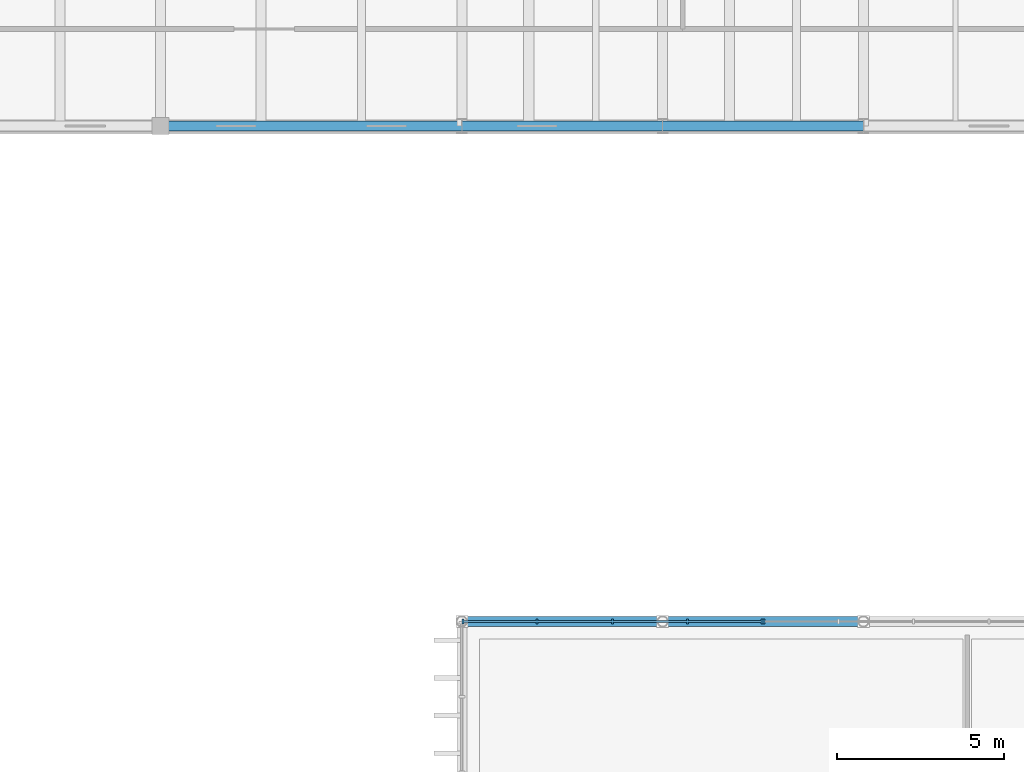
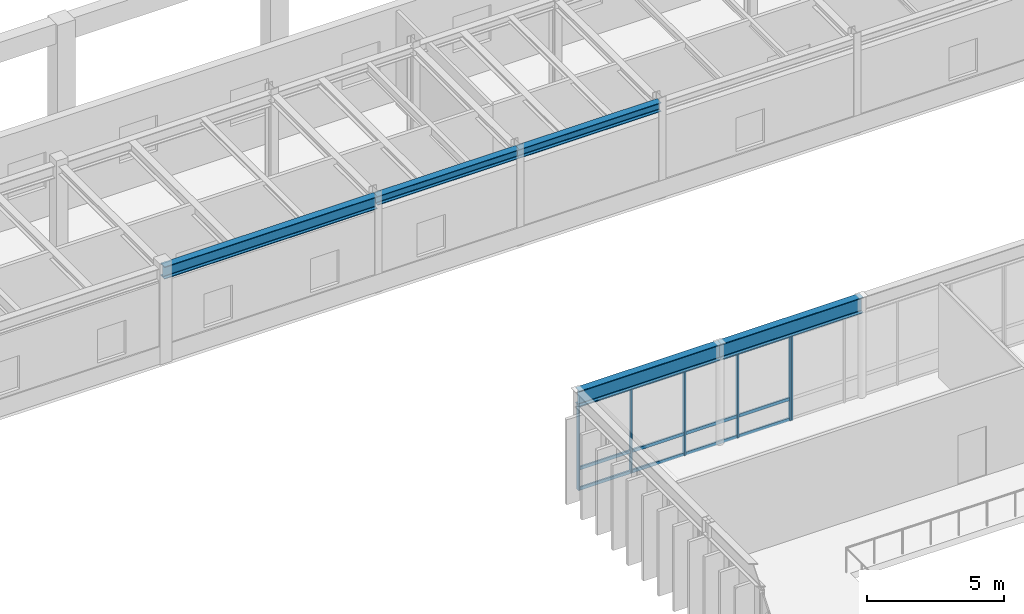
# One storey, part 26 of 64: 9 members, 5 beams, 2 elements without a shape of their own.
"""IFC4 building model written with IfcOpenShell, lengths in metres."""

from ifc_helpers import new_model, si_unit, direction, frame, origin, origin_2d, place, context, subcontext, project, spatial, rectangle, i_section, extrude, material, layer, layer_set, material_profile, profile_set, type_object, element, aggregate, save


model = new_model("IFC4")

# Units and contexts
model_context = context("Model", 3, precision=1e-05, world=origin(), true_north=direction((0.0, 1.0)))
body_context = subcontext(model_context, "Body", "Model", "MODEL_VIEW")
ifc_project = project(units=[si_unit("LENGTHUNIT", "METRE"), si_unit("AREAUNIT", "SQUARE_METRE"), si_unit("VOLUMEUNIT", "CUBIC_METRE"), si_unit("PLANEANGLEUNIT", "RADIAN"), si_unit("MASSUNIT", "GRAM", prefix="KILO")], contexts=[model_context])

# Site, building, storey
site_placement = place(None, origin())
site = spatial("IfcSite", under=ifc_project, at=site_placement, CompositionType="ELEMENT")
building_placement = place(site_placement, origin())
building = spatial("IfcBuilding", under=site, at=building_placement, Name="Montealbar Specialist Clinic", CompositionType="ELEMENT")
storey_placement = place(building_placement, frame((0.0, 0.0, 5.10009765625)))
storey = spatial("IfcBuildingStorey", under=building, at=storey_placement, Name="L01", CompositionType="ELEMENT", Elevation=5.10009765625)

# Beams
ifc_material_1 = material(Name="Steel S355", Category="steel")
ifc_material_profile_1 = material_profile(ifc_material_1, i_section(OverallWidth=0.300048828125, OverallDepth=0.39990234375, WebThickness=0.013427734375, FlangeThickness=0.02392578125, FilletRadius=0.027099609375, at=origin_2d()), Name="HEB 400", Category="steel")
ifc_profile_set_1 = profile_set([ifc_material_profile_1], Name="Steel S355")
beam_type_1 = type_object("IfcBeamType", Name="BM-GIRD-HEB400-EXT", PredefinedType="BEAM", material=ifc_profile_set_1)
for number, where, z_axis, x_axis, name in (
    (1, (54.0, 95.800048828125, 4.02978515625), (1.0, 0.0, 0.0), (0.0, 1.0, 0.0), "Beam GX-L01-540-600-958"),
    (2, (60.0, 95.800048828125, 4.02978515625), (1.0, 0.0, 0.0), (0.0, 1.0, 0.0), "Beam GX-L01-600-660-958"),
):
    element("IfcBeam", number, at=place(storey_placement, frame(where, z_axis=z_axis, x_axis=x_axis)), inside=storey, type_object=beam_type_1, Name=name, PredefinedType="BEAM", context=body_context, shape_type="SweptSolid", body=[
        extrude(i_section(OverallWidth=0.300048828125, OverallDepth=0.39990234375, WebThickness=0.013427734375, FlangeThickness=0.02392578125, FilletRadius=0.027099609375, at=origin_2d()), origin(), (0.0, 0.0, 1.0), 6.0),
    ])
ifc_material_profile_2 = material_profile(ifc_material_1, i_section(OverallWidth=0.300048828125, OverallDepth=0.550048828125, WebThickness=0.014892578125, FlangeThickness=0.029052734375, FilletRadius=0.027099609375, at=origin_2d()), Name="HEB 550", Category="steel")
ifc_profile_set_2 = profile_set([ifc_material_profile_2], Name="Steel S355")
beam_type_2 = type_object("IfcBeamType", Name="BM-GIRD-HEB550-EXT", PredefinedType="BEAM", material=ifc_profile_set_2)
beam_placement = place(storey_placement, frame((45.0, 95.800048828125, 3.954833984375), z_axis=(1.0, 0.0, 0.0), x_axis=(0.0, 1.0, 0.0)))
element("IfcBeam", 3, at=beam_placement, inside=storey, type_object=beam_type_2, Name="Beam GX-L01-450-540-958", PredefinedType="BEAM", context=body_context, shape_type="SweptSolid", body=[
    extrude(i_section(OverallWidth=0.300048828125, OverallDepth=0.550048828125, WebThickness=0.014892578125, FlangeThickness=0.029052734375, FilletRadius=0.027099609375, at=origin_2d()), origin(), (0.0, 0.0, 1.0), 9.0),
])
ifc_material_profile_3 = material_profile(ifc_material_1, i_section(OverallWidth=0.300048828125, OverallDepth=0.699951171875, WebThickness=0.01708984375, FlangeThickness=0.031982421875, FilletRadius=0.027099609375, at=origin_2d()), Name="HEB 700", Category="steel")
ifc_profile_set_3 = profile_set([ifc_material_profile_3], Name="Steel S355")
beam_type_3 = type_object("IfcBeamType", Name="BM-RING-HEB700-EXT", PredefinedType="BEAM", material=ifc_profile_set_3)
for number, where, z_axis, x_axis, name in (
    (4, (54.0, 81.0, 4.14990234375), (1.0, 0.0, 0.0), (0.0, 1.0, 0.0), "Gridshell perimeter ring beam RB-01 X 54.0-60.0"),
    (5, (60.0, 81.0, 4.14990234375), (1.0, 0.0, 0.0), (0.0, 1.0, 0.0), "Gridshell perimeter ring beam RB-01 X 60.0-66.0"),
):
    element("IfcBeam", number, at=place(storey_placement, frame(where, z_axis=z_axis, x_axis=x_axis)), inside=storey, type_object=beam_type_3, Name=name, PredefinedType="BEAM", context=body_context, shape_type="SweptSolid", body=[
        extrude(i_section(OverallWidth=0.300048828125, OverallDepth=0.699951171875, WebThickness=0.01708984375, FlangeThickness=0.031982421875, FilletRadius=0.027099609375, at=origin_2d()), origin(), (0.0, 0.0, 1.0), 6.0),
    ])

# Curtain wall, members
ifc_material_2 = material(Name="Low-E double glazing", Category="glass")
ifc_layer = layer(ifc_material_2, 0.199951171875, Name="Low-E double glazing", Category="glass")
ifc_layer_set = layer_set([ifc_layer], Name="Low-E double glazing")
curtain_wall_type = type_object("IfcCurtainWallType", Name="CW-TYPE-08", PredefinedType="NOTDEFINED", material=ifc_layer_set)
curtain_wall_1_placement = place(storey_placement, origin())
curtain_wall_1 = element("IfcCurtainWall", 6, at=curtain_wall_1_placement, inside=storey, type_object=curtain_wall_type, Name="Unitised Curtain Wall CW-L01-540-810-630-810-51", PredefinedType="NOTDEFINED")
ifc_material_3 = material(Name="Anodised aluminium EN AW-6063", Category="aluminium")
ifc_material_profile_4 = material_profile(ifc_material_3, rectangle(XDim=0.06005859375, YDim=0.159912109375, at=origin_2d()), Name="ALU 60x160", Category="aluminium")
ifc_profile_set_4 = profile_set([ifc_material_profile_4], Name="Anodised aluminium EN AW-6063")
member_type_1 = type_object("IfcMemberType", Name="CW-MUL-160", PredefinedType="MULLION", material=ifc_profile_set_4)
member_1_placement = place(storey_placement, frame((54.034912109375, 81.0, 0.0), z_axis=(0.0, 0.0, 1.0), x_axis=(1.0, 0.0, 0.0)))
member_1 = element("IfcMember", 7, at=member_1_placement, type_object=member_type_1, Name="Curtain Wall Mullion CW-L01-540-810-630-810-51-00", PredefinedType="MULLION", context=body_context, shape_type="SweptSolid", body=[
    extrude(rectangle(XDim=0.06005859375, YDim=0.159912109375, at=origin_2d()), origin(), (0.0, 0.0, 1.0), 3.7998046875),
])
member_2_placement = place(storey_placement, frame((56.25, 81.0, 0.0), z_axis=(0.0, 0.0, 1.0), x_axis=(1.0, 0.0, 0.0)))
member_2 = element("IfcMember", 8, at=member_2_placement, type_object=member_type_1, Name="Curtain Wall Mullion CW-L01-540-810-630-810-51-01", PredefinedType="MULLION", context=body_context, shape_type="SweptSolid", body=[
    extrude(rectangle(XDim=0.06005859375, YDim=0.159912109375, at=origin_2d()), origin(), (0.0, 0.0, 1.0), 3.7998046875),
])
member_3_placement = place(storey_placement, frame((58.5, 81.0, 0.0), z_axis=(0.0, 0.0, 1.0), x_axis=(1.0, 0.0, 0.0)))
member_3 = element("IfcMember", 9, at=member_3_placement, type_object=member_type_1, Name="Curtain Wall Mullion CW-L01-540-810-630-810-51-02", PredefinedType="MULLION", context=body_context, shape_type="SweptSolid", body=[
    extrude(rectangle(XDim=0.06005859375, YDim=0.159912109375, at=origin_2d()), origin(), (0.0, 0.0, 1.0), 3.7998046875),
])
member_4_placement = place(storey_placement, frame((60.75, 81.0, 0.0), z_axis=(0.0, 0.0, 1.0), x_axis=(1.0, 0.0, 0.0)))
member_4 = element("IfcMember", 10, at=member_4_placement, type_object=member_type_1, Name="Curtain Wall Mullion CW-L01-540-810-630-810-51-03", PredefinedType="MULLION", context=body_context, shape_type="SweptSolid", body=[
    extrude(rectangle(XDim=0.06005859375, YDim=0.159912109375, at=origin_2d()), origin(), (0.0, 0.0, 1.0), 3.7998046875),
])
member_5_placement = place(storey_placement, frame((62.965087890625, 81.0, 0.0), z_axis=(0.0, 0.0, 1.0), x_axis=(1.0, 0.0, 0.0)))
member_5 = element("IfcMember", 11, at=member_5_placement, type_object=member_type_1, Name="Curtain Wall Mullion CW-L01-540-810-630-810-51-04", PredefinedType="MULLION", context=body_context, shape_type="SweptSolid", body=[
    extrude(rectangle(XDim=0.06005859375, YDim=0.159912109375, at=origin_2d()), origin(), (0.0, 0.0, 1.0), 3.7998046875),
])

# Curtain wall, member
curtain_wall_2_placement = place(storey_placement, origin())
curtain_wall_2 = element("IfcCurtainWall", 12, at=curtain_wall_2_placement, inside=storey, type_object=curtain_wall_type, Name="Unitised Curtain Wall CW-L01-630-810-720-810-51", PredefinedType="NOTDEFINED")
member_6_placement = place(storey_placement, frame((63.034912109375, 81.0, 0.0), z_axis=(0.0, 0.0, 1.0), x_axis=(1.0, 0.0, 0.0)))
member_6 = element("IfcMember", 13, at=member_6_placement, type_object=member_type_1, Name="Curtain Wall Mullion CW-L01-630-810-720-810-51-00", PredefinedType="MULLION", context=body_context, shape_type="SweptSolid", body=[
    extrude(rectangle(XDim=0.06005859375, YDim=0.159912109375, at=origin_2d()), origin(), (0.0, 0.0, 1.0), 3.7998046875),
])
aggregate(curtain_wall_2, [member_6])

# Member
ifc_material_4 = material(Name="Powder-coated aluminium", Category="aluminium")
ifc_material_profile_5 = material_profile(ifc_material_4, rectangle(XDim=0.070068359375, YDim=0.139892578125, at=origin_2d()), Name="ALU 70x140", Category="aluminium")
ifc_profile_set_5 = profile_set([ifc_material_profile_5], Name="Powder-coated aluminium")
member_type_2 = type_object("IfcMemberType", Name="CW-TRN-140", PredefinedType="USERDEFINED", material=ifc_profile_set_5)
member_7_placement = place(storey_placement, frame((54.050048828125, 81.0, 0.039794921875), z_axis=(1.0, 0.0, 0.0), x_axis=(0.0, 1.0, 0.0)))
member_7 = element("IfcMember", 14, at=member_7_placement, type_object=member_type_2, Name="Curtain Wall Transom CW-L01-540-810-630-810-51-00", ObjectType="TRANSOM", PredefinedType="USERDEFINED", context=body_context, shape_type="SweptSolid", body=[
    extrude(rectangle(XDim=0.070068359375, YDim=0.139892578125, at=origin_2d()), origin(), (0.0, 0.0, 1.0), 8.89990234375),
])

member_8_placement = place(storey_placement, frame((54.050048828125, 81.0, 0.949951171875), z_axis=(1.0, 0.0, 0.0), x_axis=(0.0, 1.0, 0.0)))
member_8 = element("IfcMember", 15, at=member_8_placement, type_object=member_type_2, Name="Curtain Wall Transom CW-L01-540-810-630-810-51-01", ObjectType="TRANSOM", PredefinedType="USERDEFINED", context=body_context, shape_type="SweptSolid", body=[
    extrude(rectangle(XDim=0.070068359375, YDim=0.139892578125, at=origin_2d()), origin(), (0.0, 0.0, 1.0), 8.89990234375),
])

member_9_placement = place(storey_placement, frame((54.050048828125, 81.0, 3.760009765625), z_axis=(1.0, 0.0, 0.0), x_axis=(0.0, 1.0, 0.0)))
member_9 = element("IfcMember", 16, at=member_9_placement, type_object=member_type_2, Name="Curtain Wall Transom CW-L01-540-810-630-810-51-02", ObjectType="TRANSOM", PredefinedType="USERDEFINED", context=body_context, shape_type="SweptSolid", body=[
    extrude(rectangle(XDim=0.070068359375, YDim=0.139892578125, at=origin_2d()), origin(), (0.0, 0.0, 1.0), 8.89990234375),
])

aggregate(curtain_wall_1, [member_1, member_2, member_3, member_4, member_5, member_7, member_8, member_9])

save(model, "model.ifc")
